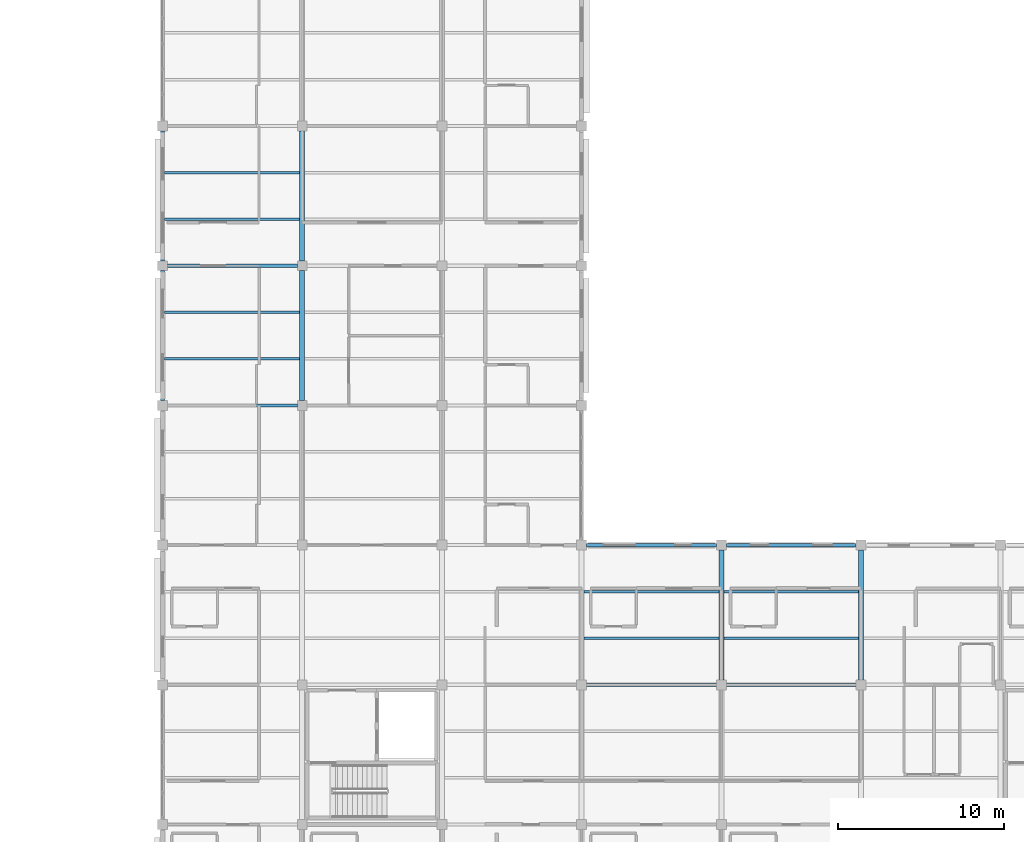
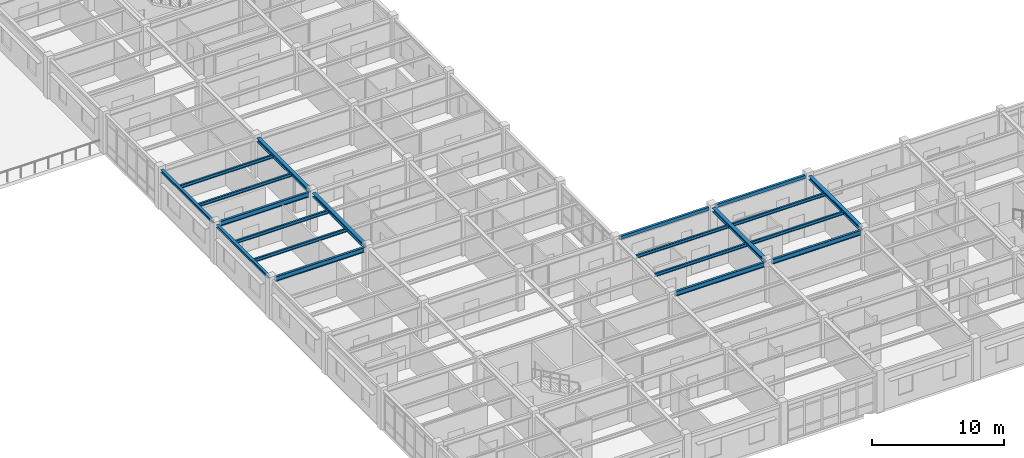
# One storey, part 9 of 86: 20 beams.
"""IFC4 building model written with IfcOpenShell, lengths in metres."""

from ifc_helpers import new_model, si_unit, direction, frame, origin, origin_2d, place, context, subcontext, project, spatial, hollow_rectangle, i_section, extrude, material, material_profile, profile_set, type_object, element, save


model = new_model("IFC4")

# Units and contexts
model_context = context("Model", 3, precision=1e-05, world=origin(), true_north=direction((0.0, 1.0)))
body_context = subcontext(model_context, "Body", "Model", "MODEL_VIEW")
ifc_project = project(units=[si_unit("LENGTHUNIT", "METRE"), si_unit("AREAUNIT", "SQUARE_METRE"), si_unit("VOLUMEUNIT", "CUBIC_METRE"), si_unit("PLANEANGLEUNIT", "RADIAN"), si_unit("MASSUNIT", "GRAM", prefix="KILO")], contexts=[model_context])

# Site, building, storey
site_placement = place(None, origin())
site = spatial("IfcSite", under=ifc_project, at=site_placement, CompositionType="ELEMENT")
building_placement = place(site_placement, origin())
building = spatial("IfcBuilding", under=site, at=building_placement, Name="Bramfleet General Hospital", CompositionType="ELEMENT")
storey_placement = place(building_placement, frame((0.0, 0.0, 18.60009765625)))
storey = spatial("IfcBuildingStorey", under=building, at=storey_placement, Name="L04", CompositionType="ELEMENT", Elevation=18.60009765625)

# Beams
ifc_material = material(Name="Steel S355", Category="steel")
ifc_material_profile_1 = material_profile(ifc_material, i_section(OverallWidth=0.239990234375, OverallDepth=0.22998046875, WebThickness=0.007568359375, FlangeThickness=0.011962890625, FilletRadius=0.02099609375, at=origin_2d()), Name="HEA 240")
ifc_profile_set_1 = profile_set([ifc_material_profile_1], Name="Steel S355")
beam_type_1 = type_object("IfcBeamType", Name="BM-HEA240", PredefinedType="SPANDREL", material=ifc_profile_set_1)
for number, where, z_axis, x_axis, name in (
    (1, (92.39990234375, 33.89990234375, 3.5048828125), (0.0, 1.0, 0.0), (-1.0, 0.0, 0.0), "L04 Grid Beam Y 11-04"),
    (2, (92.39990234375, 42.300048828125, 3.5048828125), (0.0, 1.0, 0.0), (-1.0, 0.0, 0.0), "L04 Grid Beam Y 11-05"),
):
    element("IfcBeam", number, at=place(storey_placement, frame(where, z_axis=z_axis, x_axis=x_axis)), inside=storey, type_object=beam_type_1, Name=name, PredefinedType="SPANDREL", context=body_context, shape_type="SweptSolid", body=[
        extrude(i_section(OverallWidth=0.239990234375, OverallDepth=0.22998046875, WebThickness=0.007568359375, FlangeThickness=0.011962890625, FilletRadius=0.02099609375, at=origin_2d()), origin(), (0.0, 0.0, 1.0), 7.800048828125),
    ])
ifc_material_profile_2 = material_profile(ifc_material, i_section(OverallWidth=0.300048828125, OverallDepth=0.35009765625, WebThickness=0.010009765625, FlangeThickness=0.017578125, FilletRadius=0.027099609375, at=origin_2d()), Name="HEA 360")
ifc_profile_set_2 = profile_set([ifc_material_profile_2], Name="Steel S355")
beam_type_2 = type_object("IfcBeamType", Name="BM-HEA360", PredefinedType="BEAM", material=ifc_profile_set_2)
for number, where, z_axis, x_axis, name in (
    (3, (100.800048828125, 33.89990234375, 3.44482421875), (0.0, 1.0, 0.0), (-1.0, 0.0, 0.0), "L04 Grid Beam Y 12-04"),
    (4, (100.800048828125, 42.300048828125, 3.44482421875), (0.0, 1.0, 0.0), (-1.0, 0.0, 0.0), "L04 Grid Beam Y 12-05"),
):
    element("IfcBeam", number, at=place(storey_placement, frame(where, z_axis=z_axis, x_axis=x_axis)), inside=storey, type_object=beam_type_2, Name=name, PredefinedType="BEAM", context=body_context, shape_type="SweptSolid", body=[
        extrude(i_section(OverallWidth=0.300048828125, OverallDepth=0.35009765625, WebThickness=0.010009765625, FlangeThickness=0.017578125, FilletRadius=0.027099609375, at=origin_2d()), origin(), (0.0, 0.0, 1.0), 7.800048828125),
    ])
for number, where, z_axis, x_axis, name in (
    (5, (126.0, 17.10009765625, 3.44482421875), (0.0, 1.0, 0.0), (-1.0, 0.0, 0.0), "L04 Grid Beam Y 15-02"),
    (6, (134.39990234375, 17.10009765625, 3.44482421875), (0.0, 1.0, 0.0), (-1.0, 0.0, 0.0), "L04 Grid Beam Y 16-02"),
):
    element("IfcBeam", number, at=place(storey_placement, frame(where, z_axis=z_axis, x_axis=x_axis)), inside=storey, type_object=beam_type_2, Name=name, PredefinedType="BEAM", context=body_context, shape_type="SweptSolid", body=[
        extrude(i_section(OverallWidth=0.300048828125, OverallDepth=0.35009765625, WebThickness=0.010009765625, FlangeThickness=0.017578125, FilletRadius=0.027099609375, at=origin_2d()), origin(), (0.0, 0.0, 1.0), 7.7998046875),
    ])
ifc_material_profile_3 = material_profile(ifc_material, i_section(OverallWidth=0.14990234375, OverallDepth=0.300048828125, WebThickness=0.007080078125, FlangeThickness=0.0107421875, FilletRadius=0.014892578125, at=origin_2d()), Name="IPE 300")
ifc_profile_set_3 = profile_set([ifc_material_profile_3], Name="Steel S355")
beam_type_3 = type_object("IfcBeamType", Name="BM-IPE300", PredefinedType="JOIST", material=ifc_profile_set_3)
for number, where, z_axis, x_axis, name in (
    (7, (92.52001953125, 36.39990234375, 3.469970703125), (1.0, 0.0, 0.0), (0.0, 1.0, 0.0), "L04 Secondary Joist 11-04-1"),
    (8, (92.52001953125, 39.199951171875, 3.469970703125), (1.0, 0.0, 0.0), (0.0, 1.0, 0.0), "L04 Secondary Joist 11-04-2"),
    (9, (92.52001953125, 44.800048828125, 3.469970703125), (1.0, 0.0, 0.0), (0.0, 1.0, 0.0), "L04 Secondary Joist 11-05-1"),
    (10, (92.52001953125, 47.60009765625, 3.469970703125), (1.0, 0.0, 0.0), (0.0, 1.0, 0.0), "L04 Secondary Joist 11-05-2"),
):
    element("IfcBeam", number, at=place(storey_placement, frame(where, z_axis=z_axis, x_axis=x_axis)), inside=storey, type_object=beam_type_3, Name=name, PredefinedType="JOIST", context=body_context, shape_type="SweptSolid", body=[
        extrude(i_section(OverallWidth=0.14990234375, OverallDepth=0.300048828125, WebThickness=0.007080078125, FlangeThickness=0.0107421875, FilletRadius=0.014892578125, at=origin_2d()), origin(), (0.0, 0.0, 1.0), 8.1298828125),
    ])
for number, where, z_axis, x_axis, name in (
    (11, (117.75, 19.60009765625, 3.469970703125), (1.0, 0.0, 0.0), (0.0, 1.0, 0.0), "L04 Secondary Joist 14-02-1"),
    (12, (117.75, 22.39990234375, 3.469970703125), (1.0, 0.0, 0.0), (0.0, 1.0, 0.0), "L04 Secondary Joist 14-02-2"),
    (13, (126.14990234375, 19.60009765625, 3.469970703125), (1.0, 0.0, 0.0), (0.0, 1.0, 0.0), "L04 Secondary Joist 15-02-1"),
    (14, (126.14990234375, 22.39990234375, 3.469970703125), (1.0, 0.0, 0.0), (0.0, 1.0, 0.0), "L04 Secondary Joist 15-02-2"),
):
    element("IfcBeam", number, at=place(storey_placement, frame(where, z_axis=z_axis, x_axis=x_axis)), inside=storey, type_object=beam_type_3, Name=name, PredefinedType="JOIST", context=body_context, shape_type="SweptSolid", body=[
        extrude(i_section(OverallWidth=0.14990234375, OverallDepth=0.300048828125, WebThickness=0.007080078125, FlangeThickness=0.0107421875, FilletRadius=0.014892578125, at=origin_2d()), origin(), (0.0, 0.0, 1.0), 8.10009765625),
    ])
ifc_material_profile_4 = material_profile(ifc_material, i_section(OverallWidth=0.18994140625, OverallDepth=0.449951171875, WebThickness=0.009521484375, FlangeThickness=0.0146484375, FilletRadius=0.02099609375, at=origin_2d()), Name="IPE 450")
ifc_profile_set_4 = profile_set([ifc_material_profile_4], Name="Steel S355")
beam_type_4 = type_object("IfcBeamType", Name="BM-IPE450", PredefinedType="BEAM", material=ifc_profile_set_4)
for number, where, z_axis, x_axis, name in (
    (15, (92.699951171875, 33.60009765625, 3.39501953125), (1.0, 0.0, 0.0), (0.0, 1.0, 0.0), "L04 Grid Beam X 11-04"),
    (16, (92.699951171875, 42.0, 3.39501953125), (1.0, 0.0, 0.0), (0.0, 1.0, 0.0), "L04 Grid Beam X 11-05"),
    (17, (117.89990234375, 16.800048828125, 3.39501953125), (1.0, 0.0, 0.0), (0.0, 1.0, 0.0), "L04 Grid Beam X 14-02"),
    (18, (126.300048828125, 16.800048828125, 3.39501953125), (1.0, 0.0, 0.0), (0.0, 1.0, 0.0), "L04 Grid Beam X 15-02"),
):
    element("IfcBeam", number, at=place(storey_placement, frame(where, z_axis=z_axis, x_axis=x_axis)), inside=storey, type_object=beam_type_4, Name=name, PredefinedType="BEAM", context=body_context, shape_type="SweptSolid", body=[
        extrude(i_section(OverallWidth=0.18994140625, OverallDepth=0.449951171875, WebThickness=0.009521484375, FlangeThickness=0.0146484375, FilletRadius=0.02099609375, at=origin_2d()), origin(), (0.0, 0.0, 1.0), 7.800048828125),
    ])
ifc_material_profile_5 = material_profile(ifc_material, hollow_rectangle(XDim=0.199951171875, YDim=0.300048828125, WallThickness=0.012451171875, at=origin_2d()), Name="RHS 300x200x12.5")
ifc_profile_set_5 = profile_set([ifc_material_profile_5], Name="Steel S355")
beam_type_5 = type_object("IfcBeamType", Name="BM-RHS300", PredefinedType="SPANDREL", material=ifc_profile_set_5)
for number, where, z_axis, x_axis, name in (
    (19, (117.89990234375, 25.199951171875, 3.469970703125), (1.0, 0.0, 0.0), (0.0, 1.0, 0.0), "L04 Grid Beam X 14-03"),
    (20, (126.300048828125, 25.199951171875, 3.469970703125), (1.0, 0.0, 0.0), (0.0, 1.0, 0.0), "L04 Grid Beam X 15-03"),
):
    element("IfcBeam", number, at=place(storey_placement, frame(where, z_axis=z_axis, x_axis=x_axis)), inside=storey, type_object=beam_type_5, Name=name, PredefinedType="SPANDREL", context=body_context, shape_type="SweptSolid", body=[
        extrude(hollow_rectangle(XDim=0.199951171875, YDim=0.300048828125, WallThickness=0.012451171875, at=origin_2d()), origin(), (0.0, 0.0, 1.0), 7.800048828125),
    ])

save(model, "model.ifc")
